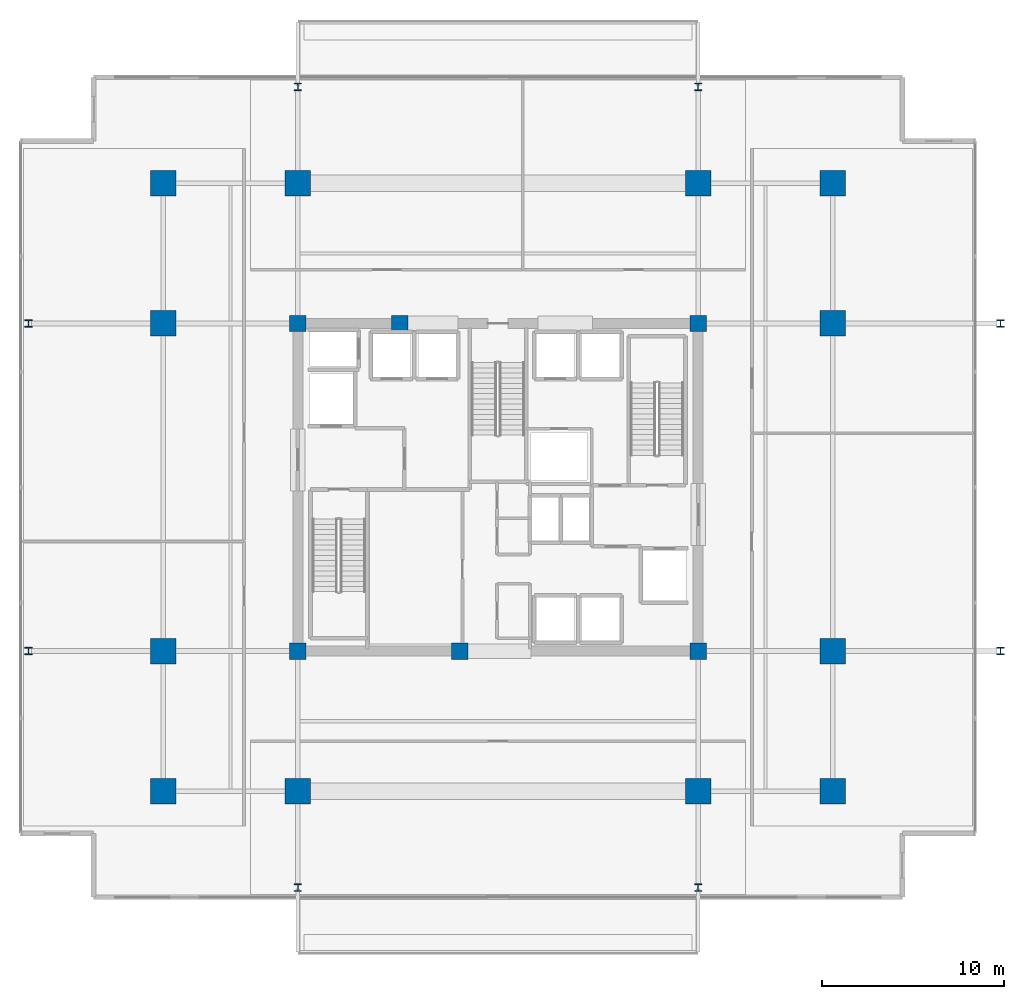
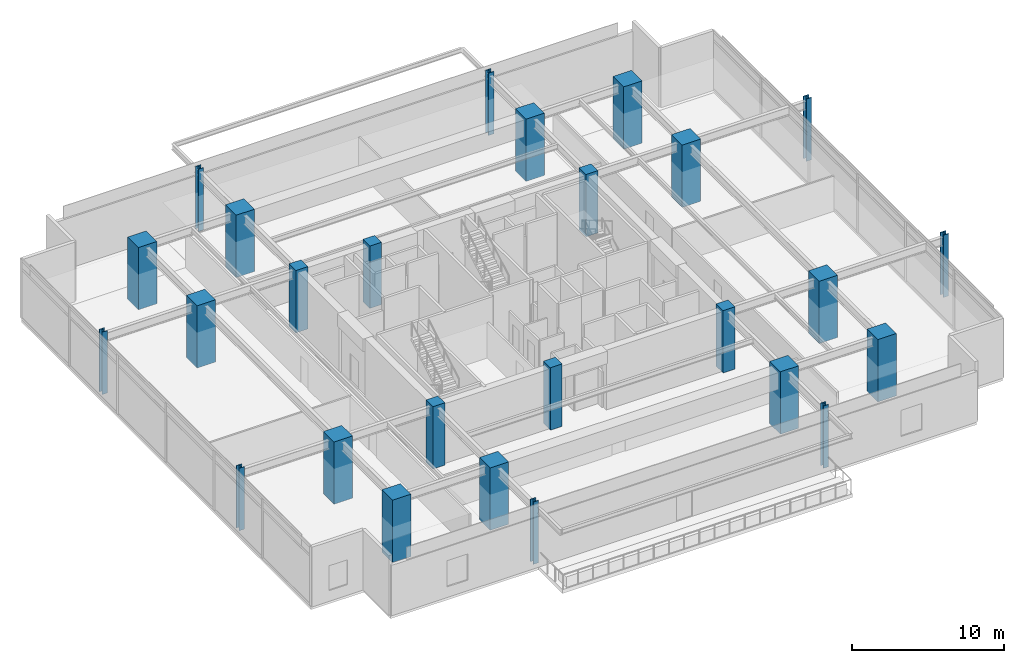
# One storey, part 1 of 21: 26 columns.
"""IFC4 building model written with IfcOpenShell, lengths in metres."""

from ifc_helpers import new_model, si_unit, direction, frame, origin, origin_2d, place, context, subcontext, project, spatial, rectangle, i_section, extrude, material, material_profile, profile_set, type_object, element, save


model = new_model("IFC4")

# Units and contexts
model_context = context("Model", 3, precision=1e-05, world=origin(), true_north=direction((0.0, 1.0)))
body_context = subcontext(model_context, "Body", "Model", "MODEL_VIEW")
ifc_project = project(units=[si_unit("LENGTHUNIT", "METRE"), si_unit("AREAUNIT", "SQUARE_METRE"), si_unit("VOLUMEUNIT", "CUBIC_METRE"), si_unit("PLANEANGLEUNIT", "RADIAN"), si_unit("MASSUNIT", "GRAM", prefix="KILO")], contexts=[model_context])

# Site, building, storey
site_placement = place(None, origin())
site = spatial("IfcSite", under=ifc_project, at=site_placement, CompositionType="ELEMENT")
building_placement = place(site_placement, origin())
building = spatial("IfcBuilding", under=site, at=building_placement, Name="Kovane Verandah Tower", CompositionType="ELEMENT")
storey_placement = place(building_placement, frame((0.0, 0.0, 238.199951171875)))
storey = spatial("IfcBuildingStorey", under=building, at=storey_placement, Name="L55", CompositionType="ELEMENT", Elevation=238.199951171875)

# Columns
ifc_material_1 = material(Name="Concrete C60/75", Category="concrete")
ifc_material_profile_1 = material_profile(ifc_material_1, rectangle(XDim=1.39990234375, YDim=1.39990234375, at=origin_2d()), Name="RC1400x1400")
ifc_profile_set_1 = profile_set([ifc_material_profile_1], Name="Concrete C60/75")
column_type_1 = type_object("IfcColumnType", Name="COL-RC1400", PredefinedType="COLUMN", material=ifc_profile_set_1)
for number, where, z_axis, x_axis, name in (
    (1, (29.0, 10.800048828125, 0.0), (0.0, 0.0, 1.0), (1.0, 0.0, 0.0), "L55 Tower Mega-Column MC-S1"),
    (2, (51.0, 10.800048828125, 0.0), (0.0, 0.0, 1.0), (1.0, 0.0, 0.0), "L55 Tower Mega-Column MC-S2"),
    (3, (29.0, 44.199951171875, 0.0), (0.0, 0.0, 1.0), (1.0, 0.0, 0.0), "L55 Tower Mega-Column MC-N1"),
    (4, (51.0, 44.199951171875, 0.0), (0.0, 0.0, 1.0), (1.0, 0.0, 0.0), "L55 Tower Mega-Column MC-N2"),
    (5, (21.60009765625, 18.5, 0.0), (0.0, 0.0, 1.0), (1.0, 0.0, 0.0), "L55 Tower Mega-Column MC-W1"),
    (6, (21.60009765625, 36.5, 0.0), (0.0, 0.0, 1.0), (1.0, 0.0, 0.0), "L55 Tower Mega-Column MC-W2"),
    (7, (58.39990234375, 18.5, 0.0), (0.0, 0.0, 1.0), (1.0, 0.0, 0.0), "L55 Tower Mega-Column MC-E1"),
    (8, (58.39990234375, 36.5, 0.0), (0.0, 0.0, 1.0), (1.0, 0.0, 0.0), "L55 Tower Mega-Column MC-E2"),
    (9, (21.60009765625, 10.800048828125, 0.0), (0.0, 0.0, 1.0), (1.0, 0.0, 0.0), "L55 Tower Mega-Column MC-SW"),
    (10, (58.39990234375, 10.800048828125, 0.0), (0.0, 0.0, 1.0), (1.0, 0.0, 0.0), "L55 Tower Mega-Column MC-SE"),
    (11, (21.60009765625, 44.199951171875, 0.0), (0.0, 0.0, 1.0), (1.0, 0.0, 0.0), "L55 Tower Mega-Column MC-NW"),
    (12, (58.39990234375, 44.199951171875, 0.0), (0.0, 0.0, 1.0), (1.0, 0.0, 0.0), "L55 Tower Mega-Column MC-NE"),
):
    element("IfcColumn", number, at=place(storey_placement, frame(where, z_axis=z_axis, x_axis=x_axis)), inside=storey, type_object=column_type_1, Name=name, PredefinedType="COLUMN", context=body_context, shape_type="SweptSolid", body=[
        extrude(rectangle(XDim=1.39990234375, YDim=1.39990234375, at=origin_2d()), origin(), (0.0, 0.0, 1.0), 5.0),
    ])
ifc_material_2 = material(Name="Steel S460", Category="steel")
ifc_material_profile_2 = material_profile(ifc_material_2, i_section(OverallWidth=0.403076171875, OverallDepth=0.406494140625, WebThickness=0.026611328125, FlangeThickness=0.04296875, FilletRadius=0.01513671875, at=origin_2d()), Name="UC356x406x340")
ifc_profile_set_2 = profile_set([ifc_material_profile_2], Name="Steel S460")
column_type_2 = type_object("IfcColumnType", Name="COL-UC340", PredefinedType="COLUMN", material=ifc_profile_set_2)
for number, where, z_axis, x_axis, name in (
    (13, (14.199951171875, 18.5, 0.0), (0.0, 0.0, 1.0), (1.0, 0.0, 0.0), "L55 Verandah Perimeter Column VC-W1"),
    (14, (14.199951171875, 36.5, 0.0), (0.0, 0.0, 1.0), (1.0, 0.0, 0.0), "L55 Verandah Perimeter Column VC-W2"),
    (15, (67.60009765625, 18.5, 0.0), (0.0, 0.0, 1.0), (1.0, 0.0, 0.0), "L55 Verandah Perimeter Column VC-E1"),
    (16, (67.60009765625, 36.5, 0.0), (0.0, 0.0, 1.0), (1.0, 0.0, 0.0), "L55 Verandah Perimeter Column VC-E2"),
    (17, (29.0, 5.5, 0.0), (0.0, 0.0, 1.0), (1.0, 0.0, 0.0), "L55 Verandah Perimeter Column VC-S1"),
    (18, (51.0, 5.5, 0.0), (0.0, 0.0, 1.0), (1.0, 0.0, 0.0), "L55 Verandah Perimeter Column VC-S2"),
    (19, (29.0, 49.5, 0.0), (0.0, 0.0, 1.0), (1.0, 0.0, 0.0), "L55 Verandah Perimeter Column VC-N1"),
    (20, (51.0, 49.5, 0.0), (0.0, 0.0, 1.0), (1.0, 0.0, 0.0), "L55 Verandah Perimeter Column VC-N2"),
):
    element("IfcColumn", number, at=place(storey_placement, frame(where, z_axis=z_axis, x_axis=x_axis)), inside=storey, type_object=column_type_2, Name=name, PredefinedType="COLUMN", context=body_context, shape_type="SweptSolid", body=[
        extrude(i_section(OverallWidth=0.403076171875, OverallDepth=0.406494140625, WebThickness=0.026611328125, FlangeThickness=0.04296875, FilletRadius=0.01513671875, at=origin_2d()), origin(), (0.0, 0.0, 1.0), 5.0),
    ])
ifc_material_profile_3 = material_profile(ifc_material_1, rectangle(XDim=0.89990234375, YDim=0.89990234375, at=origin_2d()), Name="RC900x900")
ifc_profile_set_3 = profile_set([ifc_material_profile_3], Name="Concrete C60/75")
column_type_3 = type_object("IfcColumnType", Name="PIL-RC900", PredefinedType="PILASTER", material=ifc_profile_set_3)
for number, where, z_axis, x_axis, name in (
    (21, (29.0, 18.5, 0.0), (0.0, 0.0, 1.0), (1.0, 0.0, 0.0), "L55 Core Pilaster CP-SW"),
    (22, (51.0, 18.5, 0.0), (0.0, 0.0, 1.0), (1.0, 0.0, 0.0), "L55 Core Pilaster CP-SE"),
    (23, (29.0, 36.5, 0.0), (0.0, 0.0, 1.0), (1.0, 0.0, 0.0), "L55 Core Pilaster CP-NW"),
    (24, (51.0, 36.5, 0.0), (0.0, 0.0, 1.0), (1.0, 0.0, 0.0), "L55 Core Pilaster CP-NE"),
    (25, (37.89990234375, 18.5, 0.0), (0.0, 0.0, 1.0), (1.0, 0.0, 0.0), "L55 Core Pilaster CP-S"),
    (26, (34.60009765625, 36.5, 0.0), (0.0, 0.0, 1.0), (1.0, 0.0, 0.0), "L55 Core Pilaster CP-N"),
):
    element("IfcColumn", number, at=place(storey_placement, frame(where, z_axis=z_axis, x_axis=x_axis)), inside=storey, type_object=column_type_3, Name=name, PredefinedType="PILASTER", context=body_context, shape_type="SweptSolid", body=[
        extrude(rectangle(XDim=0.89990234375, YDim=0.89990234375, at=origin_2d()), origin(), (0.0, 0.0, 1.0), 5.0),
    ])

save(model, "model.ifc")
